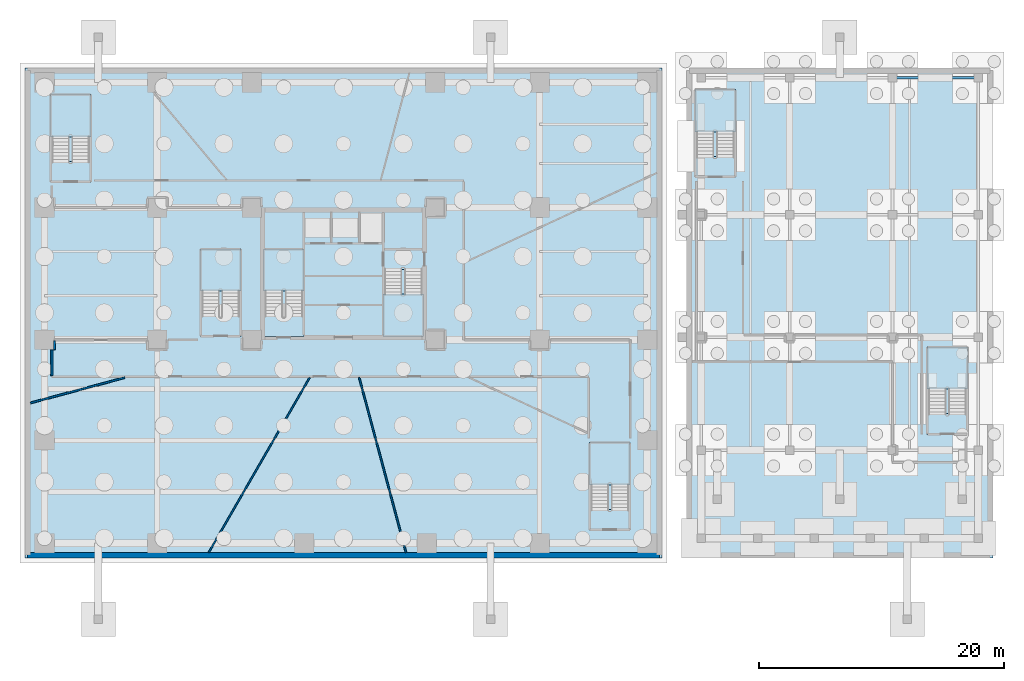
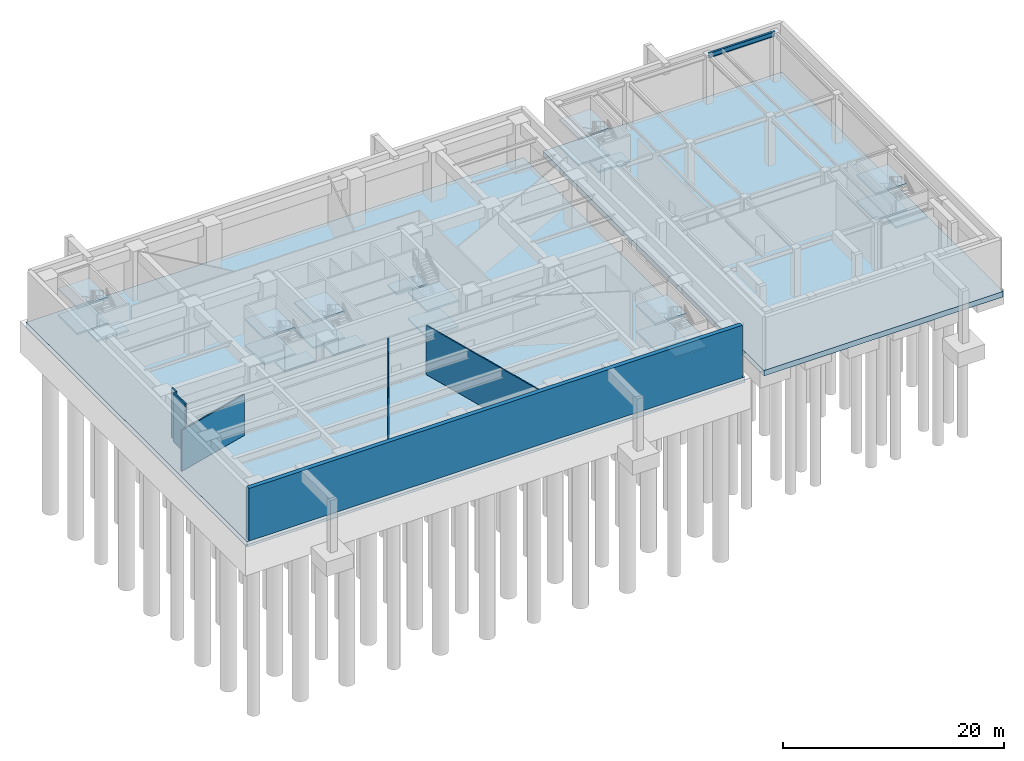
# One storey, part 4 of 15: 23 slabs, 6 walls, 1 beam, 7 elements without a shape of their own.
"""IFC4 building model written with IfcOpenShell, lengths in metres."""

from ifc_helpers import new_model, si_unit, direction, frame, frame_2d, origin, origin_2d, place, context, subcontext, project, spatial, polyline, rectangle, i_section, outline, extrude, material, layer, layer_set, material_profile, profile_set, type_object, element, aggregate, save


model = new_model("IFC4")

# Units and contexts
model_context = context("Model", 3, precision=1e-05, world=origin(), true_north=direction((0.0, 1.0)))
body_context = subcontext(model_context, "Body", "Model", "MODEL_VIEW")
ifc_project = project(units=[si_unit("LENGTHUNIT", "METRE"), si_unit("AREAUNIT", "SQUARE_METRE"), si_unit("VOLUMEUNIT", "CUBIC_METRE"), si_unit("PLANEANGLEUNIT", "RADIAN"), si_unit("MASSUNIT", "GRAM", prefix="KILO")], contexts=[model_context])

# Site, building, storey
site_placement = place(None, origin())
site = spatial("IfcSite", under=ifc_project, at=site_placement, CompositionType="ELEMENT")
building_placement = place(site_placement, origin())
building = spatial("IfcBuilding", under=site, at=building_placement, Name="Talar Marvaseh", CompositionType="ELEMENT")
storey_placement = place(building_placement, frame((0.0, 0.0, -11.60009765625)))
storey = spatial("IfcBuildingStorey", under=building, at=storey_placement, Name="B02", CompositionType="ELEMENT", Elevation=-11.60009765625)

# Beam
ifc_material_1 = material(Name="Steel S355", Category="steel")
ifc_material_profile = material_profile(ifc_material_1, i_section(OverallWidth=0.2119140625, OverallDepth=0.5439453125, WebThickness=0.01318359375, FlangeThickness=0.021240234375, at=origin_2d()), Name="W530x123")
ifc_profile_set = profile_set([ifc_material_profile], Name="Steel S355")
beam_type = type_object("IfcBeamType", Name="Market Hall Primary Girder W530x123", PredefinedType="BEAM", material=ifc_profile_set)
beam_placement = place(storey_placement, frame((70.800048828125, 47.199951171875, 5.168212890625), z_axis=(1.0, 0.0, 0.0), x_axis=(0.0, 1.0, 0.0)))
element("IfcBeam", 1, at=beam_placement, inside=storey, type_object=beam_type, Name="B02 Market Hall Primary Girder W530x123", PredefinedType="BEAM", context=body_context, shape_type="SweptSolid", body=[
    extrude(i_section(OverallWidth=0.2119140625, OverallDepth=0.5439453125, WebThickness=0.01318359375, FlangeThickness=0.021240234375, at=origin_2d()), origin(), (0.0, 0.0, 1.0), 7.0),
])

# Stair, slabs
ifc_material_2 = material(Name="Concrete C40/50", Category="concrete")
stair_type = type_object("IfcStairType", Name="Reinforced Concrete Half-Turn Exit Stair Type A", PredefinedType="HALF_TURN_STAIR", material=ifc_material_2)
stair_1_placement = place(storey_placement, origin())
stair_1 = element("IfcStair", 2, at=stair_1_placement, inside=storey, type_object=stair_type, Name="B02 Tower West Core Exit Stair", PredefinedType="HALF_TURN_STAIR")
ifc_layer_1 = layer(ifc_material_2, 0.199951171875)
ifc_layer_set_1 = layer_set([ifc_layer_1], Name="Concrete C40/50")
slab_type_1 = type_object("IfcSlabType", Name="Reinforced Concrete Stair Half-Landing Slab 200", PredefinedType="LANDING", material=ifc_layer_set_1)
slab_1_placement = place(storey_placement, frame((0.0, 0.0, 1.25)))
slab_1 = element("IfcSlab", 3, at=slab_1_placement, type_object=slab_type_1, Name="ST-1 landing 1", PredefinedType="LANDING", context=body_context, shape_type="SweptSolid", body=[
    extrude(outline(polyline([(22.780029296875, 29.77001953125), (22.780029296875, 33.219970703125), (19.47998046875, 33.219970703125), (19.47998046875, 29.77001953125), (22.780029296875, 29.77001953125)])), origin(), (0.0, 0.0, 1.0), 0.2001953125),
])
slab_2_placement = place(storey_placement, frame((0.0, 0.0, 2.7001953125)))
slab_2 = element("IfcSlab", 4, at=slab_2_placement, type_object=slab_type_1, Name="ST-1 landing 2", PredefinedType="LANDING", context=body_context, shape_type="SweptSolid", body=[
    extrude(outline(polyline([(22.780029296875, 26.080078125), (22.780029296875, 27.77001953125), (19.47998046875, 27.77001953125), (19.47998046875, 26.080078125), (22.780029296875, 26.080078125)])), origin(), (0.0, 0.0, 1.0), 0.199951171875),
])
slab_3_placement = place(storey_placement, frame((0.0, 0.0, 4.150146484375)))
slab_3 = element("IfcSlab", 5, at=slab_3_placement, type_object=slab_type_1, Name="ST-1 landing 3", PredefinedType="LANDING", context=body_context, shape_type="SweptSolid", body=[
    extrude(outline(polyline([(22.780029296875, 29.77001953125), (22.780029296875, 33.219970703125), (19.47998046875, 33.219970703125), (19.47998046875, 29.77001953125), (22.780029296875, 29.77001953125)])), origin(), (0.0, 0.0, 1.0), 0.199951171875),
])
aggregate(stair_1, [slab_1, slab_2, slab_3])

stair_2_placement = place(storey_placement, origin())
stair_2 = element("IfcStair", 6, at=stair_2_placement, inside=storey, type_object=stair_type, Name="B02 Tower East Core Exit Stair", PredefinedType="HALF_TURN_STAIR")
slab_4_placement = place(storey_placement, frame((0.0, 0.0, 1.25)))
slab_4 = element("IfcSlab", 7, at=slab_4_placement, type_object=slab_type_1, Name="ST-2 landing 1", PredefinedType="LANDING", context=body_context, shape_type="SweptSolid", body=[
    extrude(outline(polyline([(29.219970703125, 29.530029296875), (29.219970703125, 26.080078125), (32.52001953125, 26.080078125), (32.52001953125, 29.530029296875), (29.219970703125, 29.530029296875)])), origin(), (0.0, 0.0, 1.0), 0.2001953125),
])
slab_5_placement = place(storey_placement, frame((0.0, 0.0, 2.7001953125)))
slab_5 = element("IfcSlab", 8, at=slab_5_placement, type_object=slab_type_1, Name="ST-2 landing 2", PredefinedType="LANDING", context=body_context, shape_type="SweptSolid", body=[
    extrude(outline(polyline([(29.219970703125, 33.219970703125), (29.219970703125, 31.530029296875), (32.52001953125, 31.530029296875), (32.52001953125, 33.219970703125), (29.219970703125, 33.219970703125)])), origin(), (0.0, 0.0, 1.0), 0.199951171875),
])
slab_6_placement = place(storey_placement, frame((0.0, 0.0, 4.150146484375)))
slab_6 = element("IfcSlab", 9, at=slab_6_placement, type_object=slab_type_1, Name="ST-2 landing 3", PredefinedType="LANDING", context=body_context, shape_type="SweptSolid", body=[
    extrude(outline(polyline([(29.219970703125, 29.530029296875), (29.219970703125, 26.080078125), (32.52001953125, 26.080078125), (32.52001953125, 29.530029296875), (29.219970703125, 29.530029296875)])), origin(), (0.0, 0.0, 1.0), 0.199951171875),
])
aggregate(stair_2, [slab_4, slab_5, slab_6])

stair_3_placement = place(storey_placement, origin())
stair_3 = element("IfcStair", 10, at=stair_3_placement, inside=storey, type_object=stair_type, Name="B02 Museum & Podium Auxiliary Exit Stair", PredefinedType="HALF_TURN_STAIR")
slab_7_placement = place(storey_placement, frame((0.0, 0.0, 1.25)))
slab_7 = element("IfcSlab", 11, at=slab_7_placement, type_object=slab_type_1, Name="ST-3 landing 1", PredefinedType="LANDING", context=body_context, shape_type="SweptSolid", body=[
    extrude(outline(polyline([(17.6201171875, 29.77001953125), (17.6201171875, 33.219970703125), (14.320068359375, 33.219970703125), (14.320068359375, 29.77001953125), (17.6201171875, 29.77001953125)])), origin(), (0.0, 0.0, 1.0), 0.2001953125),
])
slab_8_placement = place(storey_placement, frame((0.0, 0.0, 2.7001953125)))
slab_8 = element("IfcSlab", 12, at=slab_8_placement, type_object=slab_type_1, Name="ST-3 landing 2", PredefinedType="LANDING", context=body_context, shape_type="SweptSolid", body=[
    extrude(outline(polyline([(17.6201171875, 26.080078125), (17.6201171875, 27.77001953125), (14.320068359375, 27.77001953125), (14.320068359375, 26.080078125), (17.6201171875, 26.080078125)])), origin(), (0.0, 0.0, 1.0), 0.199951171875),
])
slab_9_placement = place(storey_placement, frame((0.0, 0.0, 4.150146484375)))
slab_9 = element("IfcSlab", 13, at=slab_9_placement, type_object=slab_type_1, Name="ST-3 landing 3", PredefinedType="LANDING", context=body_context, shape_type="SweptSolid", body=[
    extrude(outline(polyline([(17.6201171875, 29.77001953125), (17.6201171875, 33.219970703125), (14.320068359375, 33.219970703125), (14.320068359375, 29.77001953125), (17.6201171875, 29.77001953125)])), origin(), (0.0, 0.0, 1.0), 0.199951171875),
])
aggregate(stair_3, [slab_7, slab_8, slab_9])

stair_4_placement = place(storey_placement, origin())
stair_4 = element("IfcStair", 14, at=stair_4_placement, inside=storey, type_object=stair_type, Name="B02 Market Hall North-West Exit Stair", PredefinedType="HALF_TURN_STAIR")
slab_10_placement = place(storey_placement, frame((0.0, 0.0, 1.25)))
slab_10 = element("IfcSlab", 15, at=slab_10_placement, type_object=slab_type_1, Name="MH-ST1 landing 1", PredefinedType="LANDING", context=body_context, shape_type="SweptSolid", body=[
    extrude(outline(polyline([(57.97998046875, 42.77001953125), (57.97998046875, 46.219970703125), (54.679931640625, 46.219970703125), (54.679931640625, 42.77001953125), (57.97998046875, 42.77001953125)])), origin(), (0.0, 0.0, 1.0), 0.2001953125),
])
slab_11_placement = place(storey_placement, frame((0.0, 0.0, 2.7001953125)))
slab_11 = element("IfcSlab", 16, at=slab_11_placement, type_object=slab_type_1, Name="MH-ST1 landing 2", PredefinedType="LANDING", context=body_context, shape_type="SweptSolid", body=[
    extrude(outline(polyline([(57.97998046875, 39.080078125), (57.97998046875, 40.77001953125), (54.679931640625, 40.77001953125), (54.679931640625, 39.080078125), (57.97998046875, 39.080078125)])), origin(), (0.0, 0.0, 1.0), 0.199951171875),
])
slab_12_placement = place(storey_placement, frame((0.0, 0.0, 4.150146484375)))
slab_12 = element("IfcSlab", 17, at=slab_12_placement, type_object=slab_type_1, Name="MH-ST1 landing 3", PredefinedType="LANDING", context=body_context, shape_type="SweptSolid", body=[
    extrude(outline(polyline([(57.97998046875, 42.77001953125), (57.97998046875, 46.219970703125), (54.679931640625, 46.219970703125), (54.679931640625, 42.77001953125), (57.97998046875, 42.77001953125)])), origin(), (0.0, 0.0, 1.0), 0.199951171875),
])
aggregate(stair_4, [slab_10, slab_11, slab_12])

stair_5_placement = place(storey_placement, origin())
stair_5 = element("IfcStair", 18, at=stair_5_placement, inside=storey, type_object=stair_type, Name="B02 Market Hall South-East Exit Stair", PredefinedType="HALF_TURN_STAIR")
slab_13_placement = place(storey_placement, frame((0.0, 0.0, 1.25)))
slab_13 = element("IfcSlab", 19, at=slab_13_placement, type_object=slab_type_1, Name="MH-ST2 landing 1", PredefinedType="LANDING", context=body_context, shape_type="SweptSolid", body=[
    extrude(outline(polyline([(76.919921875, 21.77001953125), (76.919921875, 25.219970703125), (73.6201171875, 25.219970703125), (73.6201171875, 21.77001953125), (76.919921875, 21.77001953125)])), origin(), (0.0, 0.0, 1.0), 0.2001953125),
])
slab_14_placement = place(storey_placement, frame((0.0, 0.0, 2.7001953125)))
slab_14 = element("IfcSlab", 20, at=slab_14_placement, type_object=slab_type_1, Name="MH-ST2 landing 2", PredefinedType="LANDING", context=body_context, shape_type="SweptSolid", body=[
    extrude(outline(polyline([(76.919921875, 18.080078125), (76.919921875, 19.77001953125), (73.6201171875, 19.77001953125), (73.6201171875, 18.080078125), (76.919921875, 18.080078125)])), origin(), (0.0, 0.0, 1.0), 0.199951171875),
])
slab_15_placement = place(storey_placement, frame((0.0, 0.0, 4.150146484375)))
slab_15 = element("IfcSlab", 21, at=slab_15_placement, type_object=slab_type_1, Name="MH-ST2 landing 3", PredefinedType="LANDING", context=body_context, shape_type="SweptSolid", body=[
    extrude(outline(polyline([(76.919921875, 21.77001953125), (76.919921875, 25.219970703125), (73.6201171875, 25.219970703125), (73.6201171875, 21.77001953125), (76.919921875, 21.77001953125)])), origin(), (0.0, 0.0, 1.0), 0.199951171875),
])
aggregate(stair_5, [slab_13, slab_14, slab_15])

stair_6_placement = place(storey_placement, origin())
stair_6 = element("IfcStair", 22, at=stair_6_placement, inside=storey, type_object=stair_type, Name="B02 Metro Station North-West Exit Stair", PredefinedType="HALF_TURN_STAIR")
slab_16_placement = place(storey_placement, frame((0.0, 0.0, 1.25)))
slab_16 = element("IfcSlab", 23, at=slab_16_placement, type_object=slab_type_1, Name="STN-ST1 landing 1", PredefinedType="LANDING", context=body_context, shape_type="SweptSolid", body=[
    extrude(outline(polyline([(5.3798828125, 42.3701171875), (5.3798828125, 45.820068359375), (2.080078125, 45.820068359375), (2.080078125, 42.3701171875), (5.3798828125, 42.3701171875)])), origin(), (0.0, 0.0, 1.0), 0.2001953125),
])
slab_17_placement = place(storey_placement, frame((0.0, 0.0, 2.7001953125)))
slab_17 = element("IfcSlab", 24, at=slab_17_placement, type_object=slab_type_1, Name="STN-ST1 landing 2", PredefinedType="LANDING", context=body_context, shape_type="SweptSolid", body=[
    extrude(outline(polyline([(5.3798828125, 38.679931640625), (5.3798828125, 40.3701171875), (2.080078125, 40.3701171875), (2.080078125, 38.679931640625), (5.3798828125, 38.679931640625)])), origin(), (0.0, 0.0, 1.0), 0.199951171875),
])
slab_18_placement = place(storey_placement, frame((0.0, 0.0, 4.150146484375)))
slab_18 = element("IfcSlab", 25, at=slab_18_placement, type_object=slab_type_1, Name="STN-ST1 landing 3", PredefinedType="LANDING", context=body_context, shape_type="SweptSolid", body=[
    extrude(outline(polyline([(5.3798828125, 42.3701171875), (5.3798828125, 45.820068359375), (2.080078125, 45.820068359375), (2.080078125, 42.3701171875), (5.3798828125, 42.3701171875)])), origin(), (0.0, 0.0, 1.0), 0.199951171875),
])
aggregate(stair_6, [slab_16, slab_17, slab_18])

stair_7_placement = place(storey_placement, origin())
stair_7 = element("IfcStair", 26, at=stair_7_placement, inside=storey, type_object=stair_type, Name="B02 Metro Station South-East Exit Stair", PredefinedType="HALF_TURN_STAIR")
slab_19_placement = place(storey_placement, frame((0.0, 0.0, 1.25)))
slab_19 = element("IfcSlab", 27, at=slab_19_placement, type_object=slab_type_1, Name="STN-ST2 landing 1", PredefinedType="LANDING", context=body_context, shape_type="SweptSolid", body=[
    extrude(outline(polyline([(49.3798828125, 13.969970703125), (49.3798828125, 17.419921875), (46.080078125, 17.419921875), (46.080078125, 13.969970703125), (49.3798828125, 13.969970703125)])), origin(), (0.0, 0.0, 1.0), 0.2001953125),
])
slab_20_placement = place(storey_placement, frame((0.0, 0.0, 2.7001953125)))
slab_20 = element("IfcSlab", 28, at=slab_20_placement, type_object=slab_type_1, Name="STN-ST2 landing 2", PredefinedType="LANDING", context=body_context, shape_type="SweptSolid", body=[
    extrude(outline(polyline([(49.3798828125, 10.280029296875), (49.3798828125, 11.969970703125), (46.080078125, 11.969970703125), (46.080078125, 10.280029296875), (49.3798828125, 10.280029296875)])), origin(), (0.0, 0.0, 1.0), 0.199951171875),
])
slab_21_placement = place(storey_placement, frame((0.0, 0.0, 4.150146484375)))
slab_21 = element("IfcSlab", 29, at=slab_21_placement, type_object=slab_type_1, Name="STN-ST2 landing 3", PredefinedType="LANDING", context=body_context, shape_type="SweptSolid", body=[
    extrude(outline(polyline([(49.3798828125, 13.969970703125), (49.3798828125, 17.419921875), (46.080078125, 17.419921875), (46.080078125, 13.969970703125), (49.3798828125, 13.969970703125)])), origin(), (0.0, 0.0, 1.0), 0.199951171875),
])
aggregate(stair_7, [slab_19, slab_20, slab_21])

# Slabs
ifc_material_3 = material(Name="Concrete C50/60", Category="concrete")
ifc_layer_2 = layer(ifc_material_3, 0.60009765625)
ifc_layer_set_2 = layer_set([ifc_layer_2], Name="Concrete C50/60")
slab_type_2 = type_object("IfcSlabType", Name="Substructure Structural Base Slab 600", PredefinedType="BASESLAB", material=ifc_layer_set_2)
slab_22_placement = place(storey_placement, frame((0.0, 0.0, -0.599853515625)))
element("IfcSlab", 30, at=slab_22_placement, inside=storey, type_object=slab_type_2, Name="B02 Tower Station Substructure Slab", PredefinedType="BASESLAB", context=body_context, shape_type="SweptSolid", body=[
    extrude(outline(polyline([(0.0, 8.0), (52.0, 8.0), (52.0, 48.0), (0.0, 48.0), (0.0, 8.0)])), origin(), (0.0, 0.0, 1.0), 0.599853515625),
])
slab_23_placement = place(storey_placement, frame((0.0, 0.0, -0.599853515625)))
element("IfcSlab", 31, at=slab_23_placement, inside=storey, type_object=slab_type_2, Name="B02 Market Hall Substructure Slab", PredefinedType="BASESLAB", context=body_context, shape_type="SweptSolid", body=[
    extrude(outline(polyline([(54.0, 8.0), (79.0, 8.0), (79.0, 48.0), (54.0, 48.0), (54.0, 8.0)])), origin(), (0.0, 0.0, 1.0), 0.599853515625),
])

# Walls
ifc_layer_3 = layer(ifc_material_3, 0.449951171875)
ifc_layer_set_3 = layer_set([ifc_layer_3], Name="Concrete C50/60")
wall_type_1 = type_object("IfcWallType", Name="Basement Perimeter Waterproof Retaining Wall 450", PredefinedType="SHEAR", material=ifc_layer_set_3)
wall_1_placement = place(storey_placement, frame((51.77490234375, 8.22509765625, 0.0), z_axis=(0.0, 0.0, 1.0), x_axis=(-1.0, 0.0, 0.0)))
element("IfcWall", 32, at=wall_1_placement, inside=storey, type_object=wall_type_1, Name="B02 Basement Retaining Wall", PredefinedType="SHEAR", context=body_context, shape_type="SweptSolid", body=[
    extrude(rectangle(XDim=51.5498046875, YDim=0.449951171875, at=frame_2d((25.77490234375, 0.0))), origin(), (0.0, 0.0, 1.0), 5.800048828125),
])
ifc_material_4 = material(Name="Gypsum Board Partition Assembly")
ifc_layer_4 = layer(ifc_material_4, 0.155029296875)
ifc_layer_set_4 = layer_set([ifc_layer_4], Name="Gypsum Board Partition Assembly")
wall_type_2 = type_object("IfcWallType", Name="Corridor Fire-Rated Acoustic Partition 155", PredefinedType="PARTITIONING", material=ifc_layer_set_4)
wall_2_placement = place(storey_placement, frame((2.199951171875, 22.883544921875, 0.0), z_axis=(0.0, 0.0, 1.0), x_axis=(0.0, 1.0, 0.0)))
element("IfcWall", 33, at=wall_2_placement, inside=storey, type_object=wall_type_2, Name="B02 Interior Partition Wall", PredefinedType="PARTITIONING", context=body_context, shape_type="SweptSolid", body=[
    extrude(rectangle(XDim=2.1015625, YDim=0.155029296875, at=frame_2d((1.05078125, 0.0))), origin(), (0.0, 0.0, 1.0), 5.440185546875),
])
wall_3_placement = place(storey_placement, frame((2.414306640625, 24.99560546875, 0.0), z_axis=(0.0, 0.0, 1.0), x_axis=(0.00067727719, 0.999999770648, 0.0)))
element("IfcWall", 34, at=wall_3_placement, inside=storey, type_object=wall_type_2, Name="B02 Interior Partition Wall", PredefinedType="PARTITIONING", context=body_context, shape_type="SweptSolid", body=[
    extrude(rectangle(XDim=0.720947265625, YDim=0.155029296875, at=frame_2d((0.3603515625, 0.0))), origin(), (0.0, 0.0, 1.0), 5.440185546875),
])
ifc_layer_5 = layer(ifc_material_4, 0.1201171875)
ifc_layer_set_5 = layer_set([ifc_layer_5], Name="Gypsum Board Partition Assembly")
wall_type_3 = type_object("IfcWallType", Name="Demountable Studio Room Partition 120", PredefinedType="PARTITIONING", material=ifc_layer_set_5)
wall_4_placement = place(storey_placement, frame((23.24169921875, 22.716552734375, 0.0), z_axis=(0.0, 0.0, 1.0), x_axis=(-0.500221803507, -0.865897307593, 0.0)))
element("IfcWall", 35, at=wall_4_placement, inside=storey, type_object=wall_type_3, Name="B02 Interior Partition Wall", PredefinedType="PARTITIONING", context=body_context, shape_type="SweptSolid", body=[
    extrude(rectangle(XDim=16.47607421875, YDim=0.1201171875, at=frame_2d((8.238037109375, 0.0))), origin(), (0.0, 0.0, 1.0), 5.440185546875),
])
wall_5_placement = place(storey_placement, frame((27.27685546875, 22.7373046875, 0.0), z_axis=(0.0, 0.0, 1.0), x_axis=(0.258500921609, -0.96601101108, 0.0)))
element("IfcWall", 36, at=wall_5_placement, inside=storey, type_object=wall_type_3, Name="B02 Interior Partition Wall", PredefinedType="PARTITIONING", context=body_context, shape_type="SweptSolid", body=[
    extrude(rectangle(XDim=14.7900390625, YDim=0.1201171875, at=frame_2d((7.39501953125, 0.0))), origin(), (0.0, 0.0, 1.0), 5.440185546875),
])
ifc_layer_6 = layer(ifc_material_4, 0.135009765625)
ifc_layer_set_6 = layer_set([ifc_layer_6], Name="Gypsum Board Partition Assembly")
wall_type_4 = type_object("IfcWallType", Name="Gallery High-Acoustic Partition 135", PredefinedType="PARTITIONING", material=ifc_layer_set_6)
wall_6_placement = place(storey_placement, frame((0.449951171875, 20.64990234375, 0.0), z_axis=(0.0, 0.0, 1.0), x_axis=(0.965811235646, 0.259246325144, 0.0)))
element("IfcWall", 37, at=wall_6_placement, inside=storey, type_object=wall_type_4, Name="B02 Interior Partition Wall", PredefinedType="PARTITIONING", context=body_context, shape_type="SweptSolid", body=[
    extrude(rectangle(XDim=7.9716796875, YDim=0.135009765625, at=frame_2d((3.98583984375, 0.0))), origin(), (0.0, 0.0, 1.0), 4.503173828125),
])

save(model, "model.ifc")
